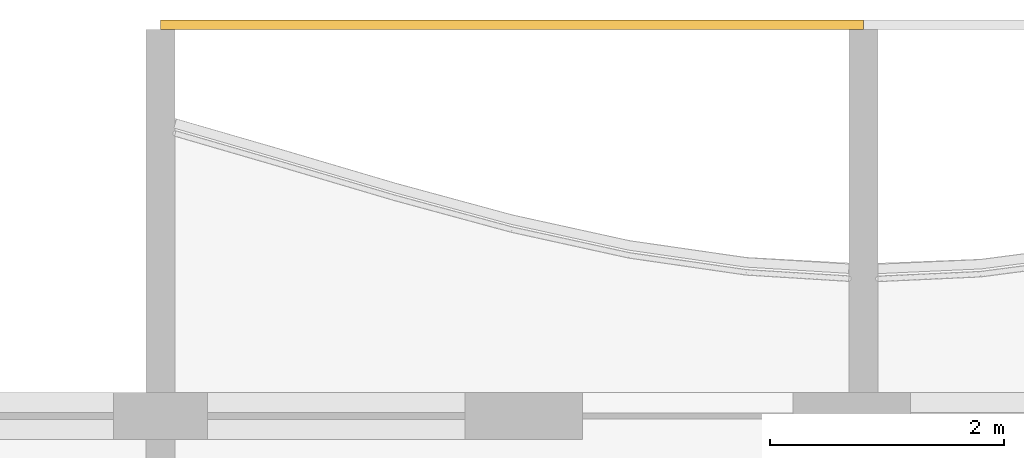
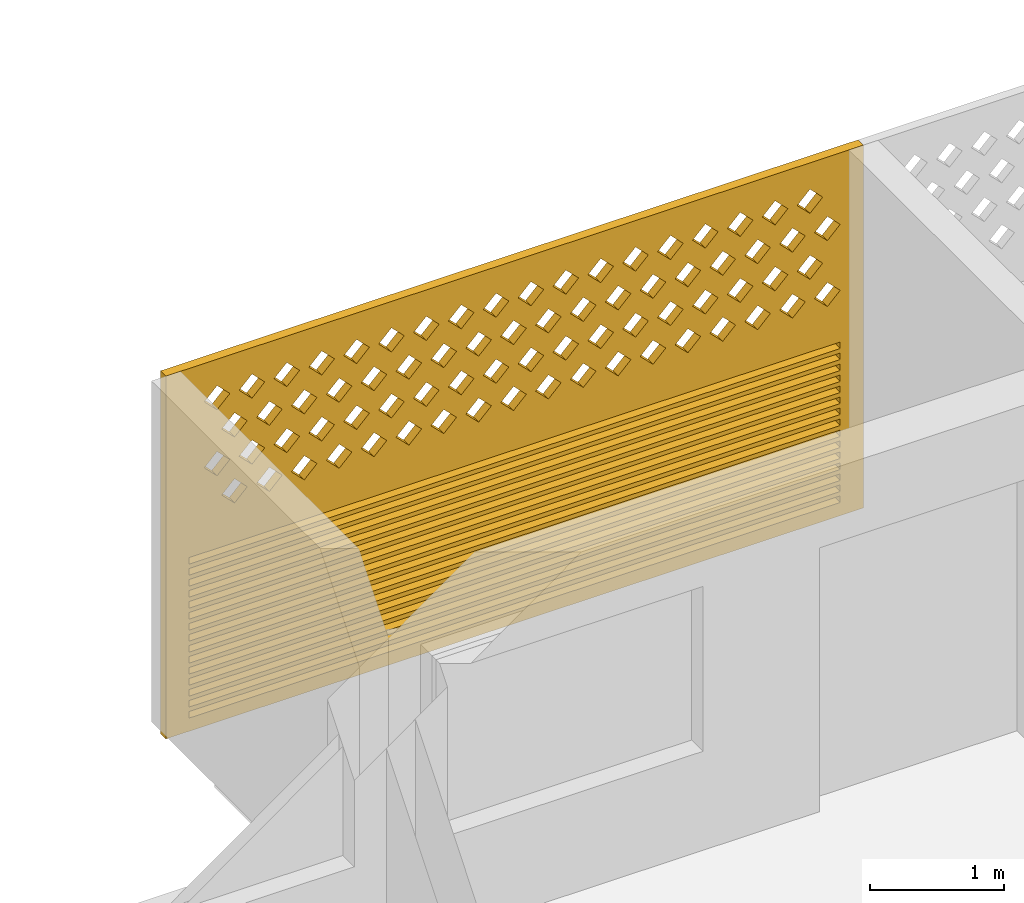
# One storey, part 22 of 26: 1 covering.
"""IFC4 building model written with IfcOpenShell, lengths in metres."""

import ifcopenshell
import ifcopenshell.guid

model = None  # the IFC model being written
_history = None  # IfcOwnerHistory: only IFC2X3 demands one
_inside = {}  # id of a spatial element -> (the spatial element, [elements in it])
_under = {}  # id of a project, library or spatial element -> (it, [spatial elements below it])
_declared = {}  # id of a project -> (the project, [libraries it declares])
_typed = {}  # id of a type object -> (the type object, [elements of that type])
_made_of = {}  # id of a material, layer set ... -> (it, [elements and type objects made of it])


def new_model(schema):
    """Start an empty IFC model of exactly this schema.

    Asked for "IFC4X3", IfcOpenShell would pick the latest addendum, in which some entities
    have other attributes; the version numbers below select the first issue.
    IFC2X3 requires an IfcOwnerHistory on every rooted entity: one is made here for all.
    """
    global model, _history
    if schema == "IFC4X3":
        model = ifcopenshell.file(schema_version=(4, 3, 0, 0))
    else:
        model = ifcopenshell.file(schema=schema)
    _inside.clear()
    _under.clear()
    _declared.clear()
    _typed.clear()
    _made_of.clear()
    _history = None
    if model.schema == "IFC2X3":
        org = make("IfcOrganization", Name="unknown")
        user = make(
            "IfcPersonAndOrganization",
            ThePerson=make("IfcPerson", FamilyName="unknown"),
            TheOrganization=org,
        )
        app = make(
            "IfcApplication",
            ApplicationDeveloper=org,
            Version="unknown",
            ApplicationFullName="unknown",
            ApplicationIdentifier="unknown",
        )
        _history = make(
            "IfcOwnerHistory",
            OwningUser=user,
            OwningApplication=app,
            ChangeAction="ADDED",
            CreationDate=0,
        )
    return model


def make(cls, **values):
    """One entity of the class cls with the attributes given. An attribute that is None is left unset."""
    return model.create_entity(
        cls, **{name: value for name, value in values.items() if value is not None}
    )


def rooted(cls, **values):
    """An entity with a GlobalId (a new one), such as an element, a storey or a relation."""
    return make(cls, GlobalId=ifcopenshell.guid.new(), OwnerHistory=_history, **values)


def si_unit(unit_type, name, prefix=None):
    """IfcSIUnit, for example si_unit("LENGTHUNIT", "METRE", prefix="MILLI")."""
    return make("IfcSIUnit", UnitType=unit_type, Prefix=prefix, Name=name)


def assignment(units):
    """IfcUnitAssignment: the units of a project."""
    return None if units is None else make("IfcUnitAssignment", Units=units)


def point(xyz):
    """IfcCartesianPoint."""
    return None if xyz is None else make("IfcCartesianPoint", Coordinates=xyz)


def direction(xyz):
    """IfcDirection."""
    return None if xyz is None else make("IfcDirection", DirectionRatios=xyz)


def frame(location, z_axis=None, x_axis=None):
    """IfcAxis2Placement3D, a coordinate frame: its origin and axes. An axis left out is left unset."""
    return make(
        "IfcAxis2Placement3D",
        Location=point(location),
        Axis=direction(z_axis),
        RefDirection=direction(x_axis),
    )


def origin():
    """The frame at (0, 0, 0) with its axes left unset."""
    return frame((0.0, 0.0, 0.0))


def place(relative_to, where):
    """IfcLocalPlacement: puts the frame where relative to a parent placement (None: the world)."""
    return make(
        "IfcLocalPlacement", PlacementRelTo=relative_to, RelativePlacement=where
    )


def context(
    kind, dimensions, precision=None, world=None, true_north=None, identifier=None
):
    """IfcGeometricRepresentationContext, for example the 3D "Model" context."""
    return make(
        "IfcGeometricRepresentationContext",
        ContextIdentifier=identifier,
        ContextType=kind,
        CoordinateSpaceDimension=dimensions,
        Precision=precision,
        WorldCoordinateSystem=world,
        TrueNorth=true_north,
    )


def subcontext(parent, identifier, kind, view, scale=None):
    """IfcGeometricRepresentationSubContext, for example "Body" below "Model"."""
    return make(
        "IfcGeometricRepresentationSubContext",
        ContextIdentifier=identifier,
        ContextType=kind,
        ParentContext=parent,
        TargetScale=scale,
        TargetView=view,
    )


def project(units=None, contexts=None):
    """IfcProject with its units and contexts."""
    return rooted(
        "IfcProject",
        Name="project",
        RepresentationContexts=contexts,
        UnitsInContext=assignment(units),
    )


def spatial(cls, under=None, at=None, **own):
    """A site, building, storey or space (cls), placed at a placement, below another one or the project."""
    s = rooted(cls, ObjectPlacement=at, **own)
    if under is not None:
        _under.setdefault(under.id(), (under, []))[1].append(s)
    return s


def polyline(points):
    """IfcPolyline through the points."""
    return make("IfcPolyline", Points=[point(p) for p in points])


def outline(outer, holes=None, kind="AREA"):
    """IfcArbitraryClosedProfileDef: a profile drawn as a closed curve; with holes, ...WithVoids."""
    if holes is None:
        return make("IfcArbitraryClosedProfileDef", ProfileType=kind, OuterCurve=outer)
    return make(
        "IfcArbitraryProfileDefWithVoids",
        ProfileType=kind,
        OuterCurve=outer,
        InnerCurves=holes,
    )


def extrude(swept, where, along, depth):
    """IfcExtrudedAreaSolid: the profile swept, set in the frame where, extruded along a direction by depth."""
    return make(
        "IfcExtrudedAreaSolid",
        SweptArea=swept,
        Position=where,
        ExtrudedDirection=direction(along),
        Depth=depth,
    )


def shape(context_of_items, identifier, shape_type, items):
    """IfcShapeRepresentation: the items that make up one representation, for example the "Body"."""
    return make(
        "IfcShapeRepresentation",
        ContextOfItems=context_of_items,
        RepresentationIdentifier=identifier,
        RepresentationType=shape_type,
        Items=items,
    )


def source(mapping_origin, context_of_items, identifier, shape_type, items):
    """IfcRepresentationMap: a shape defined once, which mapped items show again and again."""
    return make(
        "IfcRepresentationMap",
        MappingOrigin=mapping_origin,
        MappedRepresentation=shape(context_of_items, identifier, shape_type, items),
    )


def transform(
    local_origin,
    x_axis=None,
    y_axis=None,
    z_axis=None,
    scale=None,
    scale2=None,
    scale3=None,
    uniform=True,
):
    """IfcCartesianTransformationOperator3D, or its non-uniform kind. x_axis, y_axis, z_axis: its Axis1, 2, 3."""
    if uniform:
        return make(
            "IfcCartesianTransformationOperator3D",
            Axis1=direction(x_axis),
            Axis2=direction(y_axis),
            LocalOrigin=point(local_origin),
            Scale=scale,
            Axis3=direction(z_axis),
        )
    return make(
        "IfcCartesianTransformationOperator3DnonUniform",
        Axis1=direction(x_axis),
        Axis2=direction(y_axis),
        LocalOrigin=point(local_origin),
        Scale=scale,
        Axis3=direction(z_axis),
        Scale2=scale2,
        Scale3=scale3,
    )


def mapped(mapping_source, mapping_target):
    """IfcMappedItem: shows the shape of a source again, moved by a transform."""
    return make(
        "IfcMappedItem", MappingSource=mapping_source, MappingTarget=mapping_target
    )


def material(Name=None, Category=None):
    """IfcMaterial."""
    return make("IfcMaterial", Name=Name, Category=Category)


def material_profile(
    of_material, cross_section, Name=None, Category=None, Priority=None
):
    """IfcMaterialProfile: a cross section and its material."""
    return make(
        "IfcMaterialProfile",
        Name=Name,
        Material=of_material,
        Profile=cross_section,
        Priority=Priority,
        Category=Category,
    )


def profile_set(profiles, Name=None, composite=None):
    """IfcMaterialProfileSet."""
    return make(
        "IfcMaterialProfileSet",
        Name=Name,
        MaterialProfiles=profiles,
        CompositeProfile=composite,
    )


def made_of(thing, what):
    """Note that an element or type object is made of a material, layer set ...; save() writes the relation."""
    if what is not None:
        _made_of.setdefault(what.id(), (what, []))[1].append(thing)
    return thing


def type_object(cls, material=None, **own):
    """A type object (cls), such as IfcWallType, which elements share."""
    return made_of(rooted(cls, **own), material)


def element(
    cls,
    number,
    at=None,
    inside=None,
    cuts=None,
    type_object=None,
    material=None,
    context=None,
    identifier="Body",
    shape_type=None,
    held_by="IfcProductDefinitionShape",
    body=None,
    shapes=None,
    **own,
):
    """One element of the class cls, such as IfcWall. Its Tag is "e" and its number.

    at: its placement. inside: the storey or other place that contains it. cuts: it is an
    opening in that element (IfcRelVoidsElement). A single representation is given by context,
    identifier, shape_type and body (its items); several are given by shapes. held_by: the class
    of the entity that holds the representations. save() writes the other relations.
    """
    e = rooted(cls, Tag="e%d" % number, ObjectPlacement=at, **own)
    if body is not None:
        shapes = [shape(context, identifier, shape_type, body)]
    if shapes is not None:
        e.Representation = make(held_by, Representations=shapes)
    if inside is not None:
        _inside.setdefault(inside.id(), (inside, []))[1].append(e)
    if cuts is not None:
        rooted(
            "IfcRelVoidsElement", RelatingBuildingElement=cuts, RelatedOpeningElement=e
        )
    if type_object is not None:
        _typed.setdefault(type_object.id(), (type_object, []))[1].append(e)
    return made_of(e, material)


def aggregate(whole, parts):
    """IfcRelAggregates: a whole, such as a stair, and the parts it consists of."""
    return rooted("IfcRelAggregates", RelatingObject=whole, RelatedObjects=parts)


def save(model, path):
    """Write the relations noted so far, then the file.

    IfcRelAggregates (storeys below a building ...), IfcRelContainedInSpatialStructure (elements
    in a storey), IfcRelDefinesByType, IfcRelAssociatesMaterial and IfcRelDeclares: one each for
    every whole, place, type object, material and project.
    """
    for whole, parts in _under.values():
        aggregate(whole, parts)
    for where, things in _inside.values():
        rooted(
            "IfcRelContainedInSpatialStructure",
            RelatedElements=things,
            RelatingStructure=where,
        )
    for kind, things in _typed.values():
        rooted("IfcRelDefinesByType", RelatedObjects=things, RelatingType=kind)
    for what, things in _made_of.values():
        rooted("IfcRelAssociatesMaterial", RelatedObjects=things, RelatingMaterial=what)
    for by, libraries in _declared.values():
        rooted("IfcRelDeclares", RelatingContext=by, RelatedDefinitions=libraries)
    model.write(path)


model = new_model("IFC4")

# Units and contexts
model_context = context("Model", 3, precision=1e-05, world=origin(), true_north=direction((0.0, 1.0)))
body_context = subcontext(model_context, "Body", "Model", "MODEL_VIEW")
ifc_project = project(units=[si_unit("LENGTHUNIT", "METRE"), si_unit("AREAUNIT", "SQUARE_METRE"), si_unit("VOLUMEUNIT", "CUBIC_METRE"), si_unit("PLANEANGLEUNIT", "RADIAN"), si_unit("MASSUNIT", "GRAM", prefix="KILO")], contexts=[model_context])

# Site, building, storey
site_placement = place(None, origin())
site = spatial("IfcSite", under=ifc_project, at=site_placement, CompositionType="ELEMENT")
building_placement = place(site_placement, origin())
building = spatial("IfcBuilding", under=site, at=building_placement, Name="Poui Terraces", CompositionType="ELEMENT")
storey_placement = place(building_placement, frame((0.0, 0.0, 244.5)))
storey = spatial("IfcBuildingStorey", under=building, at=storey_placement, Name="L68", CompositionType="ELEMENT", Elevation=244.5)

# Covering
ifc_material = material(Name="Terracotta screen", Category="masonry")
ifc_material_profile = material_profile(ifc_material, outline(polyline([(-3.0, -1.64990234375), (3.0, -1.64990234375), (3.0, 1.64990234375), (-3.0, 1.64990234375), (-3.0, -1.64990234375)]), holes=[polyline([(-2.800048828125, 0.39990234375), (-2.68994140625, 0.2900390625), (-2.580078125, 0.39990234375), (-2.68994140625, 0.510009765625), (-2.800048828125, 0.39990234375)]), polyline([(-2.5, 0.39990234375), (-2.389892578125, 0.2900390625), (-2.280029296875, 0.39990234375), (-2.389892578125, 0.510009765625), (-2.5, 0.39990234375)]), polyline([(-2.199951171875, 0.39990234375), (-2.090087890625, 0.2900390625), (-1.97998046875, 0.39990234375), (-2.090087890625, 0.510009765625), (-2.199951171875, 0.39990234375)]), polyline([(-1.89990234375, 0.39990234375), (-1.7900390625, 0.2900390625), (-1.679931640625, 0.39990234375), (-1.7900390625, 0.510009765625), (-1.89990234375, 0.39990234375)]), polyline([(-1.60009765625, 0.39990234375), (-1.489990234375, 0.2900390625), (-1.3798828125, 0.39990234375), (-1.489990234375, 0.510009765625), (-1.60009765625, 0.39990234375)]), polyline([(-1.300048828125, 0.39990234375), (-1.18994140625, 0.2900390625), (-1.080078125, 0.39990234375), (-1.18994140625, 0.510009765625), (-1.300048828125, 0.39990234375)]), polyline([(-1.0, 0.39990234375), (-0.889892578125, 0.2900390625), (-0.780029296875, 0.39990234375), (-0.889892578125, 0.510009765625), (-1.0, 0.39990234375)]), polyline([(-0.699951171875, 0.39990234375), (-0.590087890625, 0.2900390625), (-0.47998046875, 0.39990234375), (-0.590087890625, 0.510009765625), (-0.699951171875, 0.39990234375)]), polyline([(-0.39990234375, 0.39990234375), (-0.2900390625, 0.2900390625), (-0.179931640625, 0.39990234375), (-0.2900390625, 0.510009765625), (-0.39990234375, 0.39990234375)]), polyline([(-0.10009765625, 0.39990234375), (0.010009765625, 0.2900390625), (0.1201171875, 0.39990234375), (0.010009765625, 0.510009765625), (-0.10009765625, 0.39990234375)]), polyline([(0.199951171875, 0.39990234375), (0.31005859375, 0.2900390625), (0.419921875, 0.39990234375), (0.31005859375, 0.510009765625), (0.199951171875, 0.39990234375)]), polyline([(0.5, 0.39990234375), (0.610107421875, 0.2900390625), (0.719970703125, 0.39990234375), (0.610107421875, 0.510009765625), (0.5, 0.39990234375)]), polyline([(0.800048828125, 0.39990234375), (0.909912109375, 0.2900390625), (1.02001953125, 0.39990234375), (0.909912109375, 0.510009765625), (0.800048828125, 0.39990234375)]), polyline([(1.10009765625, 0.39990234375), (1.2099609375, 0.2900390625), (1.320068359375, 0.39990234375), (1.2099609375, 0.510009765625), (1.10009765625, 0.39990234375)]), polyline([(1.39990234375, 0.39990234375), (1.510009765625, 0.2900390625), (1.6201171875, 0.39990234375), (1.510009765625, 0.510009765625), (1.39990234375, 0.39990234375)]), polyline([(1.699951171875, 0.39990234375), (1.81005859375, 0.2900390625), (1.919921875, 0.39990234375), (1.81005859375, 0.510009765625), (1.699951171875, 0.39990234375)]), polyline([(2.0, 0.39990234375), (2.110107421875, 0.2900390625), (2.219970703125, 0.39990234375), (2.110107421875, 0.510009765625), (2.0, 0.39990234375)]), polyline([(2.300048828125, 0.39990234375), (2.409912109375, 0.2900390625), (2.52001953125, 0.39990234375), (2.409912109375, 0.510009765625), (2.300048828125, 0.39990234375)]), polyline([(-2.64990234375, 0.699951171875), (-2.5400390625, 0.590087890625), (-2.429931640625, 0.699951171875), (-2.5400390625, 0.81005859375), (-2.64990234375, 0.699951171875)]), polyline([(-2.35009765625, 0.699951171875), (-2.239990234375, 0.590087890625), (-2.1298828125, 0.699951171875), (-2.239990234375, 0.81005859375), (-2.35009765625, 0.699951171875)]), polyline([(-2.050048828125, 0.699951171875), (-1.93994140625, 0.590087890625), (-1.830078125, 0.699951171875), (-1.93994140625, 0.81005859375), (-2.050048828125, 0.699951171875)]), polyline([(-1.75, 0.699951171875), (-1.639892578125, 0.590087890625), (-1.530029296875, 0.699951171875), (-1.639892578125, 0.81005859375), (-1.75, 0.699951171875)]), polyline([(-1.449951171875, 0.699951171875), (-1.340087890625, 0.590087890625), (-1.22998046875, 0.699951171875), (-1.340087890625, 0.81005859375), (-1.449951171875, 0.699951171875)]), polyline([(-1.14990234375, 0.699951171875), (-1.0400390625, 0.590087890625), (-0.929931640625, 0.699951171875), (-1.0400390625, 0.81005859375), (-1.14990234375, 0.699951171875)]), polyline([(-0.85009765625, 0.699951171875), (-0.739990234375, 0.590087890625), (-0.6298828125, 0.699951171875), (-0.739990234375, 0.81005859375), (-0.85009765625, 0.699951171875)]), polyline([(-0.550048828125, 0.699951171875), (-0.43994140625, 0.590087890625), (-0.330078125, 0.699951171875), (-0.43994140625, 0.81005859375), (-0.550048828125, 0.699951171875)]), polyline([(-0.25, 0.699951171875), (-0.139892578125, 0.590087890625), (-0.030029296875, 0.699951171875), (-0.139892578125, 0.81005859375), (-0.25, 0.699951171875)]), polyline([(0.050048828125, 0.699951171875), (0.159912109375, 0.590087890625), (0.27001953125, 0.699951171875), (0.159912109375, 0.81005859375), (0.050048828125, 0.699951171875)]), polyline([(0.35009765625, 0.699951171875), (0.4599609375, 0.590087890625), (0.570068359375, 0.699951171875), (0.4599609375, 0.81005859375), (0.35009765625, 0.699951171875)]), polyline([(0.64990234375, 0.699951171875), (0.760009765625, 0.590087890625), (0.8701171875, 0.699951171875), (0.760009765625, 0.81005859375), (0.64990234375, 0.699951171875)]), polyline([(0.949951171875, 0.699951171875), (1.06005859375, 0.590087890625), (1.169921875, 0.699951171875), (1.06005859375, 0.81005859375), (0.949951171875, 0.699951171875)]), polyline([(1.25, 0.699951171875), (1.360107421875, 0.590087890625), (1.469970703125, 0.699951171875), (1.360107421875, 0.81005859375), (1.25, 0.699951171875)]), polyline([(1.550048828125, 0.699951171875), (1.659912109375, 0.590087890625), (1.77001953125, 0.699951171875), (1.659912109375, 0.81005859375), (1.550048828125, 0.699951171875)]), polyline([(1.85009765625, 0.699951171875), (1.9599609375, 0.590087890625), (2.070068359375, 0.699951171875), (1.9599609375, 0.81005859375), (1.85009765625, 0.699951171875)]), polyline([(2.14990234375, 0.699951171875), (2.260009765625, 0.590087890625), (2.3701171875, 0.699951171875), (2.260009765625, 0.81005859375), (2.14990234375, 0.699951171875)]), polyline([(2.449951171875, 0.699951171875), (2.56005859375, 0.590087890625), (2.669921875, 0.699951171875), (2.56005859375, 0.81005859375), (2.449951171875, 0.699951171875)]), polyline([(-2.800048828125, 1.0), (-2.68994140625, 0.889892578125), (-2.580078125, 1.0), (-2.68994140625, 1.110107421875), (-2.800048828125, 1.0)]), polyline([(-2.5, 1.0), (-2.389892578125, 0.889892578125), (-2.280029296875, 1.0), (-2.389892578125, 1.110107421875), (-2.5, 1.0)]), polyline([(-2.199951171875, 1.0), (-2.090087890625, 0.889892578125), (-1.97998046875, 1.0), (-2.090087890625, 1.110107421875), (-2.199951171875, 1.0)]), polyline([(-1.89990234375, 1.0), (-1.7900390625, 0.889892578125), (-1.679931640625, 1.0), (-1.7900390625, 1.110107421875), (-1.89990234375, 1.0)]), polyline([(-1.60009765625, 1.0), (-1.489990234375, 0.889892578125), (-1.3798828125, 1.0), (-1.489990234375, 1.110107421875), (-1.60009765625, 1.0)]), polyline([(-1.300048828125, 1.0), (-1.18994140625, 0.889892578125), (-1.080078125, 1.0), (-1.18994140625, 1.110107421875), (-1.300048828125, 1.0)]), polyline([(-1.0, 1.0), (-0.889892578125, 0.889892578125), (-0.780029296875, 1.0), (-0.889892578125, 1.110107421875), (-1.0, 1.0)]), polyline([(-0.699951171875, 1.0), (-0.590087890625, 0.889892578125), (-0.47998046875, 1.0), (-0.590087890625, 1.110107421875), (-0.699951171875, 1.0)]), polyline([(-0.39990234375, 1.0), (-0.2900390625, 0.889892578125), (-0.179931640625, 1.0), (-0.2900390625, 1.110107421875), (-0.39990234375, 1.0)]), polyline([(-0.10009765625, 1.0), (0.010009765625, 0.889892578125), (0.1201171875, 1.0), (0.010009765625, 1.110107421875), (-0.10009765625, 1.0)]), polyline([(0.199951171875, 1.0), (0.31005859375, 0.889892578125), (0.419921875, 1.0), (0.31005859375, 1.110107421875), (0.199951171875, 1.0)]), polyline([(0.5, 1.0), (0.610107421875, 0.889892578125), (0.719970703125, 1.0), (0.610107421875, 1.110107421875), (0.5, 1.0)]), polyline([(0.800048828125, 1.0), (0.909912109375, 0.889892578125), (1.02001953125, 1.0), (0.909912109375, 1.110107421875), (0.800048828125, 1.0)]), polyline([(1.10009765625, 1.0), (1.2099609375, 0.889892578125), (1.320068359375, 1.0), (1.2099609375, 1.110107421875), (1.10009765625, 1.0)]), polyline([(1.39990234375, 1.0), (1.510009765625, 0.889892578125), (1.6201171875, 1.0), (1.510009765625, 1.110107421875), (1.39990234375, 1.0)]), polyline([(1.699951171875, 1.0), (1.81005859375, 0.889892578125), (1.919921875, 1.0), (1.81005859375, 1.110107421875), (1.699951171875, 1.0)]), polyline([(2.0, 1.0), (2.110107421875, 0.889892578125), (2.219970703125, 1.0), (2.110107421875, 1.110107421875), (2.0, 1.0)]), polyline([(2.300048828125, 1.0), (2.409912109375, 0.889892578125), (2.52001953125, 1.0), (2.409912109375, 1.110107421875), (2.300048828125, 1.0)]), polyline([(-2.64990234375, 1.300048828125), (-2.5400390625, 1.18994140625), (-2.429931640625, 1.300048828125), (-2.5400390625, 1.409912109375), (-2.64990234375, 1.300048828125)]), polyline([(-2.35009765625, 1.300048828125), (-2.239990234375, 1.18994140625), (-2.1298828125, 1.300048828125), (-2.239990234375, 1.409912109375), (-2.35009765625, 1.300048828125)]), polyline([(-2.050048828125, 1.300048828125), (-1.93994140625, 1.18994140625), (-1.830078125, 1.300048828125), (-1.93994140625, 1.409912109375), (-2.050048828125, 1.300048828125)]), polyline([(-1.75, 1.300048828125), (-1.639892578125, 1.18994140625), (-1.530029296875, 1.300048828125), (-1.639892578125, 1.409912109375), (-1.75, 1.300048828125)]), polyline([(-1.449951171875, 1.300048828125), (-1.340087890625, 1.18994140625), (-1.22998046875, 1.300048828125), (-1.340087890625, 1.409912109375), (-1.449951171875, 1.300048828125)]), polyline([(-1.14990234375, 1.300048828125), (-1.0400390625, 1.18994140625), (-0.929931640625, 1.300048828125), (-1.0400390625, 1.409912109375), (-1.14990234375, 1.300048828125)]), polyline([(-0.85009765625, 1.300048828125), (-0.739990234375, 1.18994140625), (-0.6298828125, 1.300048828125), (-0.739990234375, 1.409912109375), (-0.85009765625, 1.300048828125)]), polyline([(-0.550048828125, 1.300048828125), (-0.43994140625, 1.18994140625), (-0.330078125, 1.300048828125), (-0.43994140625, 1.409912109375), (-0.550048828125, 1.300048828125)]), polyline([(-0.25, 1.300048828125), (-0.139892578125, 1.18994140625), (-0.030029296875, 1.300048828125), (-0.139892578125, 1.409912109375), (-0.25, 1.300048828125)]), polyline([(0.050048828125, 1.300048828125), (0.159912109375, 1.18994140625), (0.27001953125, 1.300048828125), (0.159912109375, 1.409912109375), (0.050048828125, 1.300048828125)]), polyline([(0.35009765625, 1.300048828125), (0.4599609375, 1.18994140625), (0.570068359375, 1.300048828125), (0.4599609375, 1.409912109375), (0.35009765625, 1.300048828125)]), polyline([(0.64990234375, 1.300048828125), (0.760009765625, 1.18994140625), (0.8701171875, 1.300048828125), (0.760009765625, 1.409912109375), (0.64990234375, 1.300048828125)]), polyline([(0.949951171875, 1.300048828125), (1.06005859375, 1.18994140625), (1.169921875, 1.300048828125), (1.06005859375, 1.409912109375), (0.949951171875, 1.300048828125)]), polyline([(1.25, 1.300048828125), (1.360107421875, 1.18994140625), (1.469970703125, 1.300048828125), (1.360107421875, 1.409912109375), (1.25, 1.300048828125)]), polyline([(1.550048828125, 1.300048828125), (1.659912109375, 1.18994140625), (1.77001953125, 1.300048828125), (1.659912109375, 1.409912109375), (1.550048828125, 1.300048828125)]), polyline([(1.85009765625, 1.300048828125), (1.9599609375, 1.18994140625), (2.070068359375, 1.300048828125), (1.9599609375, 1.409912109375), (1.85009765625, 1.300048828125)]), polyline([(2.14990234375, 1.300048828125), (2.260009765625, 1.18994140625), (2.3701171875, 1.300048828125), (2.260009765625, 1.409912109375), (2.14990234375, 1.300048828125)]), polyline([(2.449951171875, 1.300048828125), (2.56005859375, 1.18994140625), (2.669921875, 1.300048828125), (2.56005859375, 1.409912109375), (2.449951171875, 1.300048828125)]), polyline([(-2.800048828125, -1.530029296875), (2.800048828125, -1.530029296875), (2.800048828125, -1.469970703125), (-2.800048828125, -1.469970703125), (-2.800048828125, -1.530029296875)]), polyline([(-2.800048828125, -1.429931640625), (2.800048828125, -1.429931640625), (2.800048828125, -1.3701171875), (-2.800048828125, -1.3701171875), (-2.800048828125, -1.429931640625)]), polyline([(-2.800048828125, -1.330078125), (2.800048828125, -1.330078125), (2.800048828125, -1.27001953125), (-2.800048828125, -1.27001953125), (-2.800048828125, -1.330078125)]), polyline([(-2.800048828125, -1.22998046875), (2.800048828125, -1.22998046875), (2.800048828125, -1.169921875), (-2.800048828125, -1.169921875), (-2.800048828125, -1.22998046875)]), polyline([(-2.800048828125, -1.1298828125), (2.800048828125, -1.1298828125), (2.800048828125, -1.070068359375), (-2.800048828125, -1.070068359375), (-2.800048828125, -1.1298828125)]), polyline([(-2.800048828125, -1.030029296875), (2.800048828125, -1.030029296875), (2.800048828125, -0.969970703125), (-2.800048828125, -0.969970703125), (-2.800048828125, -1.030029296875)]), polyline([(-2.800048828125, -0.929931640625), (2.800048828125, -0.929931640625), (2.800048828125, -0.8701171875), (-2.800048828125, -0.8701171875), (-2.800048828125, -0.929931640625)]), polyline([(-2.800048828125, -0.830078125), (2.800048828125, -0.830078125), (2.800048828125, -0.77001953125), (-2.800048828125, -0.77001953125), (-2.800048828125, -0.830078125)]), polyline([(-2.800048828125, -0.72998046875), (2.800048828125, -0.72998046875), (2.800048828125, -0.669921875), (-2.800048828125, -0.669921875), (-2.800048828125, -0.72998046875)]), polyline([(-2.800048828125, -0.6298828125), (2.800048828125, -0.6298828125), (2.800048828125, -0.570068359375), (-2.800048828125, -0.570068359375), (-2.800048828125, -0.6298828125)]), polyline([(-2.800048828125, -0.530029296875), (2.800048828125, -0.530029296875), (2.800048828125, -0.469970703125), (-2.800048828125, -0.469970703125), (-2.800048828125, -0.530029296875)]), polyline([(-2.800048828125, -0.429931640625), (2.800048828125, -0.429931640625), (2.800048828125, -0.3701171875), (-2.800048828125, -0.3701171875), (-2.800048828125, -0.429931640625)]), polyline([(-2.800048828125, -0.330078125), (2.800048828125, -0.330078125), (2.800048828125, -0.27001953125), (-2.800048828125, -0.27001953125), (-2.800048828125, -0.330078125)]), polyline([(-2.800048828125, -0.22998046875), (2.800048828125, -0.22998046875), (2.800048828125, -0.169921875), (-2.800048828125, -0.169921875), (-2.800048828125, -0.22998046875)]), polyline([(-2.800048828125, -0.1298828125), (2.800048828125, -0.1298828125), (2.800048828125, -0.070068359375), (-2.800048828125, -0.070068359375), (-2.800048828125, -0.1298828125)])]), Name="TERRACOTTA SCREEN AND JALOUSIE LOUVRE 6000X3300")
ifc_profile_set = profile_set([ifc_material_profile], Name="Terracotta screen")
covering_type = type_object("IfcCoveringType", Name="TERRACOTTA SCREEN AND JALOUSIE LOUVRE 6000X3300", PredefinedType="CLADDING", material=ifc_profile_set)
shared_shape = source(origin(), body_context, "Body", "SweptSolid", [
    extrude(outline(polyline([(-3.0, -1.64990234375), (3.0, -1.64990234375), (3.0, 1.64990234375), (-3.0, 1.64990234375), (-3.0, -1.64990234375)]), holes=[polyline([(-2.800048828125, 0.39990234375), (-2.68994140625, 0.2900390625), (-2.580078125, 0.39990234375), (-2.68994140625, 0.510009765625), (-2.800048828125, 0.39990234375)]), polyline([(-2.5, 0.39990234375), (-2.389892578125, 0.2900390625), (-2.280029296875, 0.39990234375), (-2.389892578125, 0.510009765625), (-2.5, 0.39990234375)]), polyline([(-2.199951171875, 0.39990234375), (-2.090087890625, 0.2900390625), (-1.97998046875, 0.39990234375), (-2.090087890625, 0.510009765625), (-2.199951171875, 0.39990234375)]), polyline([(-1.89990234375, 0.39990234375), (-1.7900390625, 0.2900390625), (-1.679931640625, 0.39990234375), (-1.7900390625, 0.510009765625), (-1.89990234375, 0.39990234375)]), polyline([(-1.60009765625, 0.39990234375), (-1.489990234375, 0.2900390625), (-1.3798828125, 0.39990234375), (-1.489990234375, 0.510009765625), (-1.60009765625, 0.39990234375)]), polyline([(-1.300048828125, 0.39990234375), (-1.18994140625, 0.2900390625), (-1.080078125, 0.39990234375), (-1.18994140625, 0.510009765625), (-1.300048828125, 0.39990234375)]), polyline([(-1.0, 0.39990234375), (-0.889892578125, 0.2900390625), (-0.780029296875, 0.39990234375), (-0.889892578125, 0.510009765625), (-1.0, 0.39990234375)]), polyline([(-0.699951171875, 0.39990234375), (-0.590087890625, 0.2900390625), (-0.47998046875, 0.39990234375), (-0.590087890625, 0.510009765625), (-0.699951171875, 0.39990234375)]), polyline([(-0.39990234375, 0.39990234375), (-0.2900390625, 0.2900390625), (-0.179931640625, 0.39990234375), (-0.2900390625, 0.510009765625), (-0.39990234375, 0.39990234375)]), polyline([(-0.10009765625, 0.39990234375), (0.010009765625, 0.2900390625), (0.1201171875, 0.39990234375), (0.010009765625, 0.510009765625), (-0.10009765625, 0.39990234375)]), polyline([(0.199951171875, 0.39990234375), (0.31005859375, 0.2900390625), (0.419921875, 0.39990234375), (0.31005859375, 0.510009765625), (0.199951171875, 0.39990234375)]), polyline([(0.5, 0.39990234375), (0.610107421875, 0.2900390625), (0.719970703125, 0.39990234375), (0.610107421875, 0.510009765625), (0.5, 0.39990234375)]), polyline([(0.800048828125, 0.39990234375), (0.909912109375, 0.2900390625), (1.02001953125, 0.39990234375), (0.909912109375, 0.510009765625), (0.800048828125, 0.39990234375)]), polyline([(1.10009765625, 0.39990234375), (1.2099609375, 0.2900390625), (1.320068359375, 0.39990234375), (1.2099609375, 0.510009765625), (1.10009765625, 0.39990234375)]), polyline([(1.39990234375, 0.39990234375), (1.510009765625, 0.2900390625), (1.6201171875, 0.39990234375), (1.510009765625, 0.510009765625), (1.39990234375, 0.39990234375)]), polyline([(1.699951171875, 0.39990234375), (1.81005859375, 0.2900390625), (1.919921875, 0.39990234375), (1.81005859375, 0.510009765625), (1.699951171875, 0.39990234375)]), polyline([(2.0, 0.39990234375), (2.110107421875, 0.2900390625), (2.219970703125, 0.39990234375), (2.110107421875, 0.510009765625), (2.0, 0.39990234375)]), polyline([(2.300048828125, 0.39990234375), (2.409912109375, 0.2900390625), (2.52001953125, 0.39990234375), (2.409912109375, 0.510009765625), (2.300048828125, 0.39990234375)]), polyline([(-2.64990234375, 0.699951171875), (-2.5400390625, 0.590087890625), (-2.429931640625, 0.699951171875), (-2.5400390625, 0.81005859375), (-2.64990234375, 0.699951171875)]), polyline([(-2.35009765625, 0.699951171875), (-2.239990234375, 0.590087890625), (-2.1298828125, 0.699951171875), (-2.239990234375, 0.81005859375), (-2.35009765625, 0.699951171875)]), polyline([(-2.050048828125, 0.699951171875), (-1.93994140625, 0.590087890625), (-1.830078125, 0.699951171875), (-1.93994140625, 0.81005859375), (-2.050048828125, 0.699951171875)]), polyline([(-1.75, 0.699951171875), (-1.639892578125, 0.590087890625), (-1.530029296875, 0.699951171875), (-1.639892578125, 0.81005859375), (-1.75, 0.699951171875)]), polyline([(-1.449951171875, 0.699951171875), (-1.340087890625, 0.590087890625), (-1.22998046875, 0.699951171875), (-1.340087890625, 0.81005859375), (-1.449951171875, 0.699951171875)]), polyline([(-1.14990234375, 0.699951171875), (-1.0400390625, 0.590087890625), (-0.929931640625, 0.699951171875), (-1.0400390625, 0.81005859375), (-1.14990234375, 0.699951171875)]), polyline([(-0.85009765625, 0.699951171875), (-0.739990234375, 0.590087890625), (-0.6298828125, 0.699951171875), (-0.739990234375, 0.81005859375), (-0.85009765625, 0.699951171875)]), polyline([(-0.550048828125, 0.699951171875), (-0.43994140625, 0.590087890625), (-0.330078125, 0.699951171875), (-0.43994140625, 0.81005859375), (-0.550048828125, 0.699951171875)]), polyline([(-0.25, 0.699951171875), (-0.139892578125, 0.590087890625), (-0.030029296875, 0.699951171875), (-0.139892578125, 0.81005859375), (-0.25, 0.699951171875)]), polyline([(0.050048828125, 0.699951171875), (0.159912109375, 0.590087890625), (0.27001953125, 0.699951171875), (0.159912109375, 0.81005859375), (0.050048828125, 0.699951171875)]), polyline([(0.35009765625, 0.699951171875), (0.4599609375, 0.590087890625), (0.570068359375, 0.699951171875), (0.4599609375, 0.81005859375), (0.35009765625, 0.699951171875)]), polyline([(0.64990234375, 0.699951171875), (0.760009765625, 0.590087890625), (0.8701171875, 0.699951171875), (0.760009765625, 0.81005859375), (0.64990234375, 0.699951171875)]), polyline([(0.949951171875, 0.699951171875), (1.06005859375, 0.590087890625), (1.169921875, 0.699951171875), (1.06005859375, 0.81005859375), (0.949951171875, 0.699951171875)]), polyline([(1.25, 0.699951171875), (1.360107421875, 0.590087890625), (1.469970703125, 0.699951171875), (1.360107421875, 0.81005859375), (1.25, 0.699951171875)]), polyline([(1.550048828125, 0.699951171875), (1.659912109375, 0.590087890625), (1.77001953125, 0.699951171875), (1.659912109375, 0.81005859375), (1.550048828125, 0.699951171875)]), polyline([(1.85009765625, 0.699951171875), (1.9599609375, 0.590087890625), (2.070068359375, 0.699951171875), (1.9599609375, 0.81005859375), (1.85009765625, 0.699951171875)]), polyline([(2.14990234375, 0.699951171875), (2.260009765625, 0.590087890625), (2.3701171875, 0.699951171875), (2.260009765625, 0.81005859375), (2.14990234375, 0.699951171875)]), polyline([(2.449951171875, 0.699951171875), (2.56005859375, 0.590087890625), (2.669921875, 0.699951171875), (2.56005859375, 0.81005859375), (2.449951171875, 0.699951171875)]), polyline([(-2.800048828125, 1.0), (-2.68994140625, 0.889892578125), (-2.580078125, 1.0), (-2.68994140625, 1.110107421875), (-2.800048828125, 1.0)]), polyline([(-2.5, 1.0), (-2.389892578125, 0.889892578125), (-2.280029296875, 1.0), (-2.389892578125, 1.110107421875), (-2.5, 1.0)]), polyline([(-2.199951171875, 1.0), (-2.090087890625, 0.889892578125), (-1.97998046875, 1.0), (-2.090087890625, 1.110107421875), (-2.199951171875, 1.0)]), polyline([(-1.89990234375, 1.0), (-1.7900390625, 0.889892578125), (-1.679931640625, 1.0), (-1.7900390625, 1.110107421875), (-1.89990234375, 1.0)]), polyline([(-1.60009765625, 1.0), (-1.489990234375, 0.889892578125), (-1.3798828125, 1.0), (-1.489990234375, 1.110107421875), (-1.60009765625, 1.0)]), polyline([(-1.300048828125, 1.0), (-1.18994140625, 0.889892578125), (-1.080078125, 1.0), (-1.18994140625, 1.110107421875), (-1.300048828125, 1.0)]), polyline([(-1.0, 1.0), (-0.889892578125, 0.889892578125), (-0.780029296875, 1.0), (-0.889892578125, 1.110107421875), (-1.0, 1.0)]), polyline([(-0.699951171875, 1.0), (-0.590087890625, 0.889892578125), (-0.47998046875, 1.0), (-0.590087890625, 1.110107421875), (-0.699951171875, 1.0)]), polyline([(-0.39990234375, 1.0), (-0.2900390625, 0.889892578125), (-0.179931640625, 1.0), (-0.2900390625, 1.110107421875), (-0.39990234375, 1.0)]), polyline([(-0.10009765625, 1.0), (0.010009765625, 0.889892578125), (0.1201171875, 1.0), (0.010009765625, 1.110107421875), (-0.10009765625, 1.0)]), polyline([(0.199951171875, 1.0), (0.31005859375, 0.889892578125), (0.419921875, 1.0), (0.31005859375, 1.110107421875), (0.199951171875, 1.0)]), polyline([(0.5, 1.0), (0.610107421875, 0.889892578125), (0.719970703125, 1.0), (0.610107421875, 1.110107421875), (0.5, 1.0)]), polyline([(0.800048828125, 1.0), (0.909912109375, 0.889892578125), (1.02001953125, 1.0), (0.909912109375, 1.110107421875), (0.800048828125, 1.0)]), polyline([(1.10009765625, 1.0), (1.2099609375, 0.889892578125), (1.320068359375, 1.0), (1.2099609375, 1.110107421875), (1.10009765625, 1.0)]), polyline([(1.39990234375, 1.0), (1.510009765625, 0.889892578125), (1.6201171875, 1.0), (1.510009765625, 1.110107421875), (1.39990234375, 1.0)]), polyline([(1.699951171875, 1.0), (1.81005859375, 0.889892578125), (1.919921875, 1.0), (1.81005859375, 1.110107421875), (1.699951171875, 1.0)]), polyline([(2.0, 1.0), (2.110107421875, 0.889892578125), (2.219970703125, 1.0), (2.110107421875, 1.110107421875), (2.0, 1.0)]), polyline([(2.300048828125, 1.0), (2.409912109375, 0.889892578125), (2.52001953125, 1.0), (2.409912109375, 1.110107421875), (2.300048828125, 1.0)]), polyline([(-2.64990234375, 1.300048828125), (-2.5400390625, 1.18994140625), (-2.429931640625, 1.300048828125), (-2.5400390625, 1.409912109375), (-2.64990234375, 1.300048828125)]), polyline([(-2.35009765625, 1.300048828125), (-2.239990234375, 1.18994140625), (-2.1298828125, 1.300048828125), (-2.239990234375, 1.409912109375), (-2.35009765625, 1.300048828125)]), polyline([(-2.050048828125, 1.300048828125), (-1.93994140625, 1.18994140625), (-1.830078125, 1.300048828125), (-1.93994140625, 1.409912109375), (-2.050048828125, 1.300048828125)]), polyline([(-1.75, 1.300048828125), (-1.639892578125, 1.18994140625), (-1.530029296875, 1.300048828125), (-1.639892578125, 1.409912109375), (-1.75, 1.300048828125)]), polyline([(-1.449951171875, 1.300048828125), (-1.340087890625, 1.18994140625), (-1.22998046875, 1.300048828125), (-1.340087890625, 1.409912109375), (-1.449951171875, 1.300048828125)]), polyline([(-1.14990234375, 1.300048828125), (-1.0400390625, 1.18994140625), (-0.929931640625, 1.300048828125), (-1.0400390625, 1.409912109375), (-1.14990234375, 1.300048828125)]), polyline([(-0.85009765625, 1.300048828125), (-0.739990234375, 1.18994140625), (-0.6298828125, 1.300048828125), (-0.739990234375, 1.409912109375), (-0.85009765625, 1.300048828125)]), polyline([(-0.550048828125, 1.300048828125), (-0.43994140625, 1.18994140625), (-0.330078125, 1.300048828125), (-0.43994140625, 1.409912109375), (-0.550048828125, 1.300048828125)]), polyline([(-0.25, 1.300048828125), (-0.139892578125, 1.18994140625), (-0.030029296875, 1.300048828125), (-0.139892578125, 1.409912109375), (-0.25, 1.300048828125)]), polyline([(0.050048828125, 1.300048828125), (0.159912109375, 1.18994140625), (0.27001953125, 1.300048828125), (0.159912109375, 1.409912109375), (0.050048828125, 1.300048828125)]), polyline([(0.35009765625, 1.300048828125), (0.4599609375, 1.18994140625), (0.570068359375, 1.300048828125), (0.4599609375, 1.409912109375), (0.35009765625, 1.300048828125)]), polyline([(0.64990234375, 1.300048828125), (0.760009765625, 1.18994140625), (0.8701171875, 1.300048828125), (0.760009765625, 1.409912109375), (0.64990234375, 1.300048828125)]), polyline([(0.949951171875, 1.300048828125), (1.06005859375, 1.18994140625), (1.169921875, 1.300048828125), (1.06005859375, 1.409912109375), (0.949951171875, 1.300048828125)]), polyline([(1.25, 1.300048828125), (1.360107421875, 1.18994140625), (1.469970703125, 1.300048828125), (1.360107421875, 1.409912109375), (1.25, 1.300048828125)]), polyline([(1.550048828125, 1.300048828125), (1.659912109375, 1.18994140625), (1.77001953125, 1.300048828125), (1.659912109375, 1.409912109375), (1.550048828125, 1.300048828125)]), polyline([(1.85009765625, 1.300048828125), (1.9599609375, 1.18994140625), (2.070068359375, 1.300048828125), (1.9599609375, 1.409912109375), (1.85009765625, 1.300048828125)]), polyline([(2.14990234375, 1.300048828125), (2.260009765625, 1.18994140625), (2.3701171875, 1.300048828125), (2.260009765625, 1.409912109375), (2.14990234375, 1.300048828125)]), polyline([(2.449951171875, 1.300048828125), (2.56005859375, 1.18994140625), (2.669921875, 1.300048828125), (2.56005859375, 1.409912109375), (2.449951171875, 1.300048828125)]), polyline([(-2.800048828125, -1.530029296875), (2.800048828125, -1.530029296875), (2.800048828125, -1.469970703125), (-2.800048828125, -1.469970703125), (-2.800048828125, -1.530029296875)]), polyline([(-2.800048828125, -1.429931640625), (2.800048828125, -1.429931640625), (2.800048828125, -1.3701171875), (-2.800048828125, -1.3701171875), (-2.800048828125, -1.429931640625)]), polyline([(-2.800048828125, -1.330078125), (2.800048828125, -1.330078125), (2.800048828125, -1.27001953125), (-2.800048828125, -1.27001953125), (-2.800048828125, -1.330078125)]), polyline([(-2.800048828125, -1.22998046875), (2.800048828125, -1.22998046875), (2.800048828125, -1.169921875), (-2.800048828125, -1.169921875), (-2.800048828125, -1.22998046875)]), polyline([(-2.800048828125, -1.1298828125), (2.800048828125, -1.1298828125), (2.800048828125, -1.070068359375), (-2.800048828125, -1.070068359375), (-2.800048828125, -1.1298828125)]), polyline([(-2.800048828125, -1.030029296875), (2.800048828125, -1.030029296875), (2.800048828125, -0.969970703125), (-2.800048828125, -0.969970703125), (-2.800048828125, -1.030029296875)]), polyline([(-2.800048828125, -0.929931640625), (2.800048828125, -0.929931640625), (2.800048828125, -0.8701171875), (-2.800048828125, -0.8701171875), (-2.800048828125, -0.929931640625)]), polyline([(-2.800048828125, -0.830078125), (2.800048828125, -0.830078125), (2.800048828125, -0.77001953125), (-2.800048828125, -0.77001953125), (-2.800048828125, -0.830078125)]), polyline([(-2.800048828125, -0.72998046875), (2.800048828125, -0.72998046875), (2.800048828125, -0.669921875), (-2.800048828125, -0.669921875), (-2.800048828125, -0.72998046875)]), polyline([(-2.800048828125, -0.6298828125), (2.800048828125, -0.6298828125), (2.800048828125, -0.570068359375), (-2.800048828125, -0.570068359375), (-2.800048828125, -0.6298828125)]), polyline([(-2.800048828125, -0.530029296875), (2.800048828125, -0.530029296875), (2.800048828125, -0.469970703125), (-2.800048828125, -0.469970703125), (-2.800048828125, -0.530029296875)]), polyline([(-2.800048828125, -0.429931640625), (2.800048828125, -0.429931640625), (2.800048828125, -0.3701171875), (-2.800048828125, -0.3701171875), (-2.800048828125, -0.429931640625)]), polyline([(-2.800048828125, -0.330078125), (2.800048828125, -0.330078125), (2.800048828125, -0.27001953125), (-2.800048828125, -0.27001953125), (-2.800048828125, -0.330078125)]), polyline([(-2.800048828125, -0.22998046875), (2.800048828125, -0.22998046875), (2.800048828125, -0.169921875), (-2.800048828125, -0.169921875), (-2.800048828125, -0.22998046875)]), polyline([(-2.800048828125, -0.1298828125), (2.800048828125, -0.1298828125), (2.800048828125, -0.070068359375), (-2.800048828125, -0.070068359375), (-2.800048828125, -0.1298828125)])]), origin(), (0.0, 0.0, 1.0), 0.080078125),
])
covering_placement = place(storey_placement, frame((63.0, 44.5, 1.449951171875), z_axis=(0.0, 1.0, 0.0), x_axis=(-1.0, 0.0, 0.0)))
element("IfcCovering", 1, at=covering_placement, inside=storey, type_object=covering_type, Name="SOLAR SCREEN AND JALOUSIE LOUVRE", PredefinedType="CLADDING", context=body_context, shape_type="MappedRepresentation", body=[
    mapped(shared_shape, transform((0.0, 0.0, 0.0))),
])

save(model, "model.ifc")
